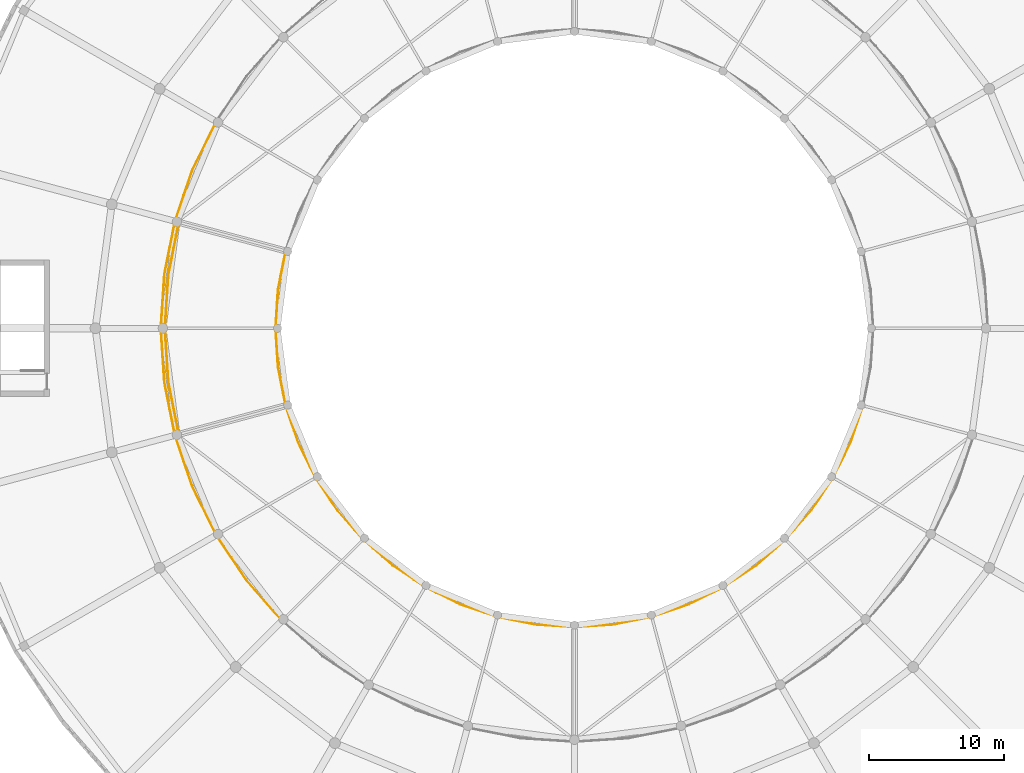
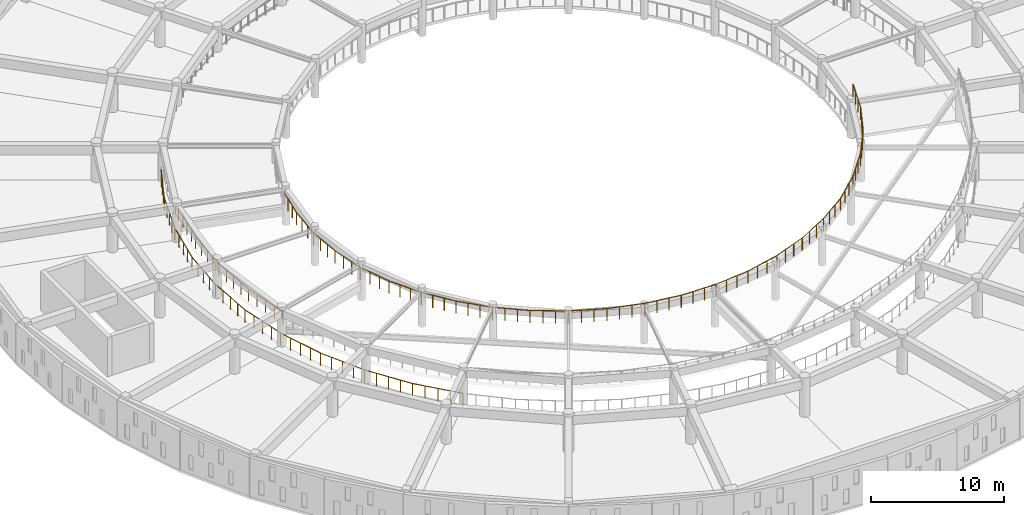
# One storey, part 129 of 155: 4 railings.
"""IFC4 building model written with IfcOpenShell, lengths in metres."""

from ifc_helpers import new_model, si_unit, direction, frame, origin, origin_2d, place, context, subcontext, project, spatial, circle, extrude, material, type_object, element, save


model = new_model("IFC4")

# Units and contexts
model_context = context("Model", 3, precision=1e-05, world=origin(), true_north=direction((0.0, 1.0)))
body_context = subcontext(model_context, "Body", "Model", "MODEL_VIEW")
ifc_project = project(units=[si_unit("LENGTHUNIT", "METRE"), si_unit("AREAUNIT", "SQUARE_METRE"), si_unit("VOLUMEUNIT", "CUBIC_METRE"), si_unit("PLANEANGLEUNIT", "RADIAN"), si_unit("MASSUNIT", "GRAM", prefix="KILO")], contexts=[model_context])

# Site, building, storey
site_placement = place(None, origin())
site = spatial("IfcSite", under=ifc_project, at=site_placement, CompositionType="ELEMENT")
building_placement = place(site_placement, origin())
building = spatial("IfcBuilding", under=site, at=building_placement, Name="Larkveld Mobility Hub", CompositionType="ELEMENT")
storey_placement = place(building_placement, frame((0.0, 0.0, 8.39990234375)))
storey = spatial("IfcBuildingStorey", under=building, at=storey_placement, Name="L02", CompositionType="ELEMENT", Elevation=8.39990234375)

# Railings
ifc_material_1 = material(Name="Anodized aluminium 6063-T6 balustrade", Category="aluminium")
railing_type_1 = type_object("IfcRailingType", Name="RL-GRD-1150", PredefinedType="GUARDRAIL", material=ifc_material_1)
railing_1_placement = place(storey_placement, frame((21.4560546875, 63.324951171875, 0.0)))
element("IfcRailing", 1, at=railing_1_placement, inside=storey, type_object=railing_type_1, Name="Drum Ramp Well Guardrail L02-044", PredefinedType="GUARDRAIL", context=body_context, shape_type="SweptSolid", body=[
    extrude(circle(Radius=0.02392578125, at=origin_2d()), frame((0.0, 0.0, 1.1259765625), z_axis=(-0.442213306217, -0.89690991287, 0.0), x_axis=(0.89690991287, -0.442213306217, 0.0)), (0.0, 0.0, 1.0), 4.00927734375),
    extrude(circle(Radius=0.02392578125, at=origin_2d()), frame((-1.77294921875, -3.595947265625, 1.1259765625), z_axis=(-0.321557700371, -0.946889985865, 0.0), x_axis=(0.946889985865, -0.321557700371, 0.0)), (0.0, 0.0, 1.0), 4.0087890625),
    extrude(circle(Radius=0.02392578125, at=origin_2d()), frame((-3.06201171875, -7.391845703125, 1.1259765625), z_axis=(-0.195050336869, -0.980793233096, 0.0), x_axis=(0.980793233096, -0.195050336869, 0.0)), (0.0, 0.0, 1.0), 4.009033203125),
    extrude(circle(Radius=0.02392578125, at=origin_2d()), frame((-3.843994140625, -11.323974609375, 1.1259765625), z_axis=(-0.065334844062, -0.997863396539, 0.0), x_axis=(0.997863396539, -0.065334844062, 0.0)), (0.0, 0.0, 1.0), 4.009521484375),
    extrude(circle(Radius=0.02392578125, at=origin_2d()), frame((-4.10595703125, -15.324951171875, 1.1259765625), z_axis=(0.065334844062, -0.997863396539, 0.0), x_axis=(0.997863396539, 0.065334844062, 0.0)), (0.0, 0.0, 1.0), 4.009521484375),
    extrude(circle(Radius=0.02392578125, at=origin_2d()), frame((-3.843994140625, -19.325927734375, 1.1259765625), z_axis=(0.195050336869, -0.980793233096, 0.0), x_axis=(0.980793233096, 0.195050336869, 0.0)), (0.0, 0.0, 1.0), 4.009033203125),
    extrude(circle(Radius=0.02392578125, at=origin_2d()), frame((-3.06201171875, -23.258056640625, 1.1259765625), z_axis=(0.321557700371, -0.946889985865, 0.0), x_axis=(0.946889985865, 0.321557700371, 0.0)), (0.0, 0.0, 1.0), 4.0087890625),
    extrude(circle(Radius=0.02392578125, at=origin_2d()), frame((-1.77294921875, -27.053955078125, 1.1259765625), z_axis=(0.442213306217, -0.89690991287, 0.0), x_axis=(0.89690991287, 0.442213306217, 0.0)), (0.0, 0.0, 1.0), 4.00927734375),
    extrude(circle(Radius=0.02392578125, at=origin_2d()), frame((0.0, -30.64990234375, 1.1259765625), z_axis=(0.555627161516, -0.831431571078, 0.0), x_axis=(0.831431571078, 0.555627161516, 0.0)), (0.0, 0.0, 1.0), 4.010009765625),
    extrude(circle(Radius=0.02392578125, at=origin_2d()), frame((2.22802734375, -33.98388671875, 1.1259765625), z_axis=(0.65927174728, -0.75190475676, 0.0), x_axis=(0.75190475676, 0.65927174728, 0.0)), (0.0, 0.0, 1.0), 4.0087890625),
    extrude(circle(Radius=0.02099609375, at=origin_2d()), origin(), (0.0, 0.0, 1.0), 1.101806640625),
    extrude(circle(Radius=0.02099609375, at=origin_2d()), frame((-0.443359375, -0.89892578125, 0.0)), (0.0, 0.0, 1.0), 1.101806640625),
    extrude(circle(Radius=0.02099609375, at=origin_2d()), frame((-0.886474609375, -1.7978515625, 0.0)), (0.0, 0.0, 1.0), 1.101806640625),
    extrude(circle(Radius=0.02099609375, at=origin_2d()), frame((-1.32958984375, -2.697021484375, 0.0)), (0.0, 0.0, 1.0), 1.101806640625),
    extrude(circle(Radius=0.02099609375, at=origin_2d()), frame((-1.77294921875, -3.595947265625, 0.0)), (0.0, 0.0, 1.0), 1.101806640625),
    extrude(circle(Radius=0.02099609375, at=origin_2d()), frame((-2.09521484375, -4.544921875, 0.0)), (0.0, 0.0, 1.0), 1.101806640625),
    extrude(circle(Radius=0.02099609375, at=origin_2d()), frame((-2.41748046875, -5.493896484375, 0.0)), (0.0, 0.0, 1.0), 1.101806640625),
    extrude(circle(Radius=0.02099609375, at=origin_2d()), frame((-2.73974609375, -6.44287109375, 0.0)), (0.0, 0.0, 1.0), 1.101806640625),
    extrude(circle(Radius=0.02099609375, at=origin_2d()), frame((-3.06201171875, -7.391845703125, 0.0)), (0.0, 0.0, 1.0), 1.101806640625),
    extrude(circle(Radius=0.02099609375, at=origin_2d()), frame((-3.257568359375, -8.375, 0.0)), (0.0, 0.0, 1.0), 1.101806640625),
    extrude(circle(Radius=0.02099609375, at=origin_2d()), frame((-3.453125, -9.35791015625, 0.0)), (0.0, 0.0, 1.0), 1.101806640625),
    extrude(circle(Radius=0.02099609375, at=origin_2d()), frame((-3.6484375, -10.3408203125, 0.0)), (0.0, 0.0, 1.0), 1.101806640625),
    extrude(circle(Radius=0.02099609375, at=origin_2d()), frame((-3.843994140625, -11.323974609375, 0.0)), (0.0, 0.0, 1.0), 1.101806640625),
    extrude(circle(Radius=0.02099609375, at=origin_2d()), frame((-3.909423828125, -12.32421875, 0.0)), (0.0, 0.0, 1.0), 1.101806640625),
    extrude(circle(Radius=0.02099609375, at=origin_2d()), frame((-3.97509765625, -13.324462890625, 0.0)), (0.0, 0.0, 1.0), 1.101806640625),
    extrude(circle(Radius=0.02099609375, at=origin_2d()), frame((-4.04052734375, -14.32470703125, 0.0)), (0.0, 0.0, 1.0), 1.101806640625),
    extrude(circle(Radius=0.02099609375, at=origin_2d()), frame((-4.10595703125, -15.324951171875, 0.0)), (0.0, 0.0, 1.0), 1.101806640625),
    extrude(circle(Radius=0.02099609375, at=origin_2d()), frame((-4.04052734375, -16.3251953125, 0.0)), (0.0, 0.0, 1.0), 1.101806640625),
    extrude(circle(Radius=0.02099609375, at=origin_2d()), frame((-3.97509765625, -17.325439453125, 0.0)), (0.0, 0.0, 1.0), 1.101806640625),
    extrude(circle(Radius=0.02099609375, at=origin_2d()), frame((-3.909423828125, -18.32568359375, 0.0)), (0.0, 0.0, 1.0), 1.101806640625),
    extrude(circle(Radius=0.02099609375, at=origin_2d()), frame((-3.843994140625, -19.325927734375, 0.0)), (0.0, 0.0, 1.0), 1.101806640625),
    extrude(circle(Radius=0.02099609375, at=origin_2d()), frame((-3.6484375, -20.30908203125, 0.0)), (0.0, 0.0, 1.0), 1.101806640625),
    extrude(circle(Radius=0.02099609375, at=origin_2d()), frame((-3.453125, -21.2919921875, 0.0)), (0.0, 0.0, 1.0), 1.101806640625),
    extrude(circle(Radius=0.02099609375, at=origin_2d()), frame((-3.257568359375, -22.27490234375, 0.0)), (0.0, 0.0, 1.0), 1.101806640625),
    extrude(circle(Radius=0.02099609375, at=origin_2d()), frame((-3.06201171875, -23.258056640625, 0.0)), (0.0, 0.0, 1.0), 1.101806640625),
    extrude(circle(Radius=0.02099609375, at=origin_2d()), frame((-2.73974609375, -24.20703125, 0.0)), (0.0, 0.0, 1.0), 1.101806640625),
    extrude(circle(Radius=0.02099609375, at=origin_2d()), frame((-2.41748046875, -25.156005859375, 0.0)), (0.0, 0.0, 1.0), 1.101806640625),
    extrude(circle(Radius=0.02099609375, at=origin_2d()), frame((-2.09521484375, -26.10498046875, 0.0)), (0.0, 0.0, 1.0), 1.101806640625),
    extrude(circle(Radius=0.02099609375, at=origin_2d()), frame((-1.77294921875, -27.053955078125, 0.0)), (0.0, 0.0, 1.0), 1.101806640625),
    extrude(circle(Radius=0.02099609375, at=origin_2d()), frame((-1.32958984375, -27.952880859375, 0.0)), (0.0, 0.0, 1.0), 1.101806640625),
    extrude(circle(Radius=0.02099609375, at=origin_2d()), frame((-0.886474609375, -28.85205078125, 0.0)), (0.0, 0.0, 1.0), 1.101806640625),
    extrude(circle(Radius=0.02099609375, at=origin_2d()), frame((-0.443359375, -29.7509765625, 0.0)), (0.0, 0.0, 1.0), 1.101806640625),
    extrude(circle(Radius=0.02099609375, at=origin_2d()), frame((0.0, -30.64990234375, 0.0)), (0.0, 0.0, 1.0), 1.101806640625),
    extrude(circle(Radius=0.02099609375, at=origin_2d()), frame((0.55712890625, -31.4833984375, 0.0)), (0.0, 0.0, 1.0), 1.101806640625),
    extrude(circle(Radius=0.02099609375, at=origin_2d()), frame((1.114013671875, -32.31689453125, 0.0)), (0.0, 0.0, 1.0), 1.101806640625),
    extrude(circle(Radius=0.02099609375, at=origin_2d()), frame((1.6708984375, -33.150390625, 0.0)), (0.0, 0.0, 1.0), 1.101806640625),
    extrude(circle(Radius=0.02099609375, at=origin_2d()), frame((2.22802734375, -33.98388671875, 0.0)), (0.0, 0.0, 1.0), 1.101806640625),
    extrude(circle(Radius=0.02099609375, at=origin_2d()), frame((2.888671875, -34.7373046875, 0.0)), (0.0, 0.0, 1.0), 1.101806640625),
    extrude(circle(Radius=0.02099609375, at=origin_2d()), frame((3.54931640625, -35.490966796875, 0.0)), (0.0, 0.0, 1.0), 1.101806640625),
    extrude(circle(Radius=0.02099609375, at=origin_2d()), frame((4.210205078125, -36.24462890625, 0.0)), (0.0, 0.0, 1.0), 1.101806640625),
    extrude(circle(Radius=0.02099609375, at=origin_2d()), frame((4.870849609375, -36.998046875, 0.0)), (0.0, 0.0, 1.0), 1.101806640625),
])
ifc_material_2 = material(Name="Galvanized Steel S355JR vehicle-deck guard", Category="steel")
railing_type_2 = type_object("IfcRailingType", Name="RL-GRD-RMP", PredefinedType="GUARDRAIL", material=ifc_material_2)
railing_2_placement = place(storey_placement, frame((26.60498046875, 53.73291015625, 1.800048828125)))
element("IfcRailing", 2, at=railing_2_placement, inside=storey, type_object=railing_type_2, Name="Helical Mid-Landing Inner Guard L02-015", PredefinedType="GUARDRAIL", context=body_context, shape_type="SweptSolid", body=[
    extrude(circle(Radius=0.02392578125, at=origin_2d()), frame((0.0, 0.0, 1.1259765625), z_axis=(-0.195305912265, -0.980742372203, 0.0), x_axis=(0.980742372203, -0.195305912265, 0.0)), (0.0, 0.0, 1.0), 2.897705078125),
    extrude(circle(Radius=0.02392578125, at=origin_2d()), frame((-0.56591796875, -2.841796875, 1.1259765625), z_axis=(-0.065221416326, -0.997870816715, 0.0), x_axis=(0.997870816715, -0.065221416326, 0.0)), (0.0, 0.0, 1.0), 2.897216796875),
    extrude(circle(Radius=0.02392578125, at=origin_2d()), frame((-0.7548828125, -5.73291015625, 1.1259765625), z_axis=(0.065221416326, -0.997870816715, 0.0), x_axis=(0.997870816715, 0.065221416326, 0.0)), (0.0, 0.0, 1.0), 2.897216796875),
    extrude(circle(Radius=0.02392578125, at=origin_2d()), frame((-0.56591796875, -8.6240234375, 1.1259765625), z_axis=(0.195305912265, -0.980742372203, 0.0), x_axis=(0.980742372203, 0.195305912265, 0.0)), (0.0, 0.0, 1.0), 2.897705078125),
    extrude(circle(Radius=0.02099609375, at=origin_2d()), origin(), (0.0, 0.0, 1.0), 1.101806640625),
    extrude(circle(Radius=0.02099609375, at=origin_2d()), frame((-0.188720703125, -0.947265625, 0.0)), (0.0, 0.0, 1.0), 1.101806640625),
    extrude(circle(Radius=0.02099609375, at=origin_2d()), frame((-0.377197265625, -1.89453125, 0.0)), (0.0, 0.0, 1.0), 1.101806640625),
    extrude(circle(Radius=0.02099609375, at=origin_2d()), frame((-0.56591796875, -2.841796875, 0.0)), (0.0, 0.0, 1.0), 1.101806640625),
    extrude(circle(Radius=0.02099609375, at=origin_2d()), frame((-0.62890625, -3.805419921875, 0.0)), (0.0, 0.0, 1.0), 1.101806640625),
    extrude(circle(Radius=0.02099609375, at=origin_2d()), frame((-0.69189453125, -4.769287109375, 0.0)), (0.0, 0.0, 1.0), 1.101806640625),
    extrude(circle(Radius=0.02099609375, at=origin_2d()), frame((-0.7548828125, -5.73291015625, 0.0)), (0.0, 0.0, 1.0), 1.101806640625),
    extrude(circle(Radius=0.02099609375, at=origin_2d()), frame((-0.69189453125, -6.696533203125, 0.0)), (0.0, 0.0, 1.0), 1.101806640625),
    extrude(circle(Radius=0.02099609375, at=origin_2d()), frame((-0.62890625, -7.660400390625, 0.0)), (0.0, 0.0, 1.0), 1.101806640625),
    extrude(circle(Radius=0.02099609375, at=origin_2d()), frame((-0.56591796875, -8.6240234375, 0.0)), (0.0, 0.0, 1.0), 1.101806640625),
    extrude(circle(Radius=0.02099609375, at=origin_2d()), frame((-0.377197265625, -9.5712890625, 0.0)), (0.0, 0.0, 1.0), 1.101806640625),
    extrude(circle(Radius=0.02099609375, at=origin_2d()), frame((-0.188720703125, -10.5185546875, 0.0)), (0.0, 0.0, 1.0), 1.101806640625),
    extrude(circle(Radius=0.02099609375, at=origin_2d()), frame((0.0, -11.4658203125, 0.0)), (0.0, 0.0, 1.0), 1.101806640625),
])
railing_3_placement = place(storey_placement, frame((18.68408203125, 55.85498046875, 1.800048828125)))
element("IfcRailing", 3, at=railing_3_placement, inside=storey, type_object=railing_type_2, Name="Helical Mid-Landing Outer Guard L02-016", PredefinedType="GUARDRAIL", context=body_context, shape_type="SweptSolid", body=[
    extrude(circle(Radius=0.02392578125, at=origin_2d()), frame((0.0, 0.0, 1.1259765625), z_axis=(-0.194992586513, -0.980804716141, 0.0), x_axis=(0.980804716141, -0.194992586513, 0.0)), (0.0, 0.0, 1.0), 3.97021484375),
    extrude(circle(Radius=0.02392578125, at=origin_2d()), frame((-0.774169921875, -3.89404296875, 1.1259765625), z_axis=(-0.065502515435, -0.997852404152, 0.0), x_axis=(0.997852404152, -0.065502515435, 0.0)), (0.0, 0.0, 1.0), 3.969482421875),
    extrude(circle(Radius=0.02392578125, at=origin_2d()), frame((-1.0341796875, -7.85498046875, 1.1259765625), z_axis=(0.065502515435, -0.997852404152, 0.0), x_axis=(0.997852404152, 0.065502515435, 0.0)), (0.0, 0.0, 1.0), 3.969482421875),
    extrude(circle(Radius=0.02392578125, at=origin_2d()), frame((-0.774169921875, -11.81591796875, 1.1259765625), z_axis=(0.194992586513, -0.980804716141, 0.0), x_axis=(0.980804716141, 0.194992586513, 0.0)), (0.0, 0.0, 1.0), 3.97021484375),
    extrude(circle(Radius=0.02099609375, at=origin_2d()), origin(), (0.0, 0.0, 1.0), 1.101806640625),
    extrude(circle(Radius=0.02099609375, at=origin_2d()), frame((-0.193603515625, -0.9736328125, 0.0)), (0.0, 0.0, 1.0), 1.101806640625),
    extrude(circle(Radius=0.02099609375, at=origin_2d()), frame((-0.38720703125, -1.947021484375, 0.0)), (0.0, 0.0, 1.0), 1.101806640625),
    extrude(circle(Radius=0.02099609375, at=origin_2d()), frame((-0.58056640625, -2.92041015625, 0.0)), (0.0, 0.0, 1.0), 1.101806640625),
    extrude(circle(Radius=0.02099609375, at=origin_2d()), frame((-0.774169921875, -3.89404296875, 0.0)), (0.0, 0.0, 1.0), 1.101806640625),
    extrude(circle(Radius=0.02099609375, at=origin_2d()), frame((-0.839111328125, -4.88427734375, 0.0)), (0.0, 0.0, 1.0), 1.101806640625),
    extrude(circle(Radius=0.02099609375, at=origin_2d()), frame((-0.904296875, -5.87451171875, 0.0)), (0.0, 0.0, 1.0), 1.101806640625),
    extrude(circle(Radius=0.02099609375, at=origin_2d()), frame((-0.96923828125, -6.86474609375, 0.0)), (0.0, 0.0, 1.0), 1.101806640625),
    extrude(circle(Radius=0.02099609375, at=origin_2d()), frame((-1.0341796875, -7.85498046875, 0.0)), (0.0, 0.0, 1.0), 1.101806640625),
    extrude(circle(Radius=0.02099609375, at=origin_2d()), frame((-0.96923828125, -8.84521484375, 0.0)), (0.0, 0.0, 1.0), 1.101806640625),
    extrude(circle(Radius=0.02099609375, at=origin_2d()), frame((-0.904296875, -9.83544921875, 0.0)), (0.0, 0.0, 1.0), 1.101806640625),
    extrude(circle(Radius=0.02099609375, at=origin_2d()), frame((-0.839111328125, -10.82568359375, 0.0)), (0.0, 0.0, 1.0), 1.101806640625),
    extrude(circle(Radius=0.02099609375, at=origin_2d()), frame((-0.774169921875, -11.81591796875, 0.0)), (0.0, 0.0, 1.0), 1.101806640625),
    extrude(circle(Radius=0.02099609375, at=origin_2d()), frame((-0.58056640625, -12.78955078125, 0.0)), (0.0, 0.0, 1.0), 1.101806640625),
    extrude(circle(Radius=0.02099609375, at=origin_2d()), frame((-0.38720703125, -13.762939453125, 0.0)), (0.0, 0.0, 1.0), 1.101806640625),
    extrude(circle(Radius=0.02099609375, at=origin_2d()), frame((-0.193603515625, -14.736328125, 0.0)), (0.0, 0.0, 1.0), 1.101806640625),
    extrude(circle(Radius=0.02099609375, at=origin_2d()), frame((0.0, -15.7099609375, 0.0)), (0.0, 0.0, 1.0), 1.101806640625),
])
railing_4_placement = place(storey_placement, frame((26.60498046875, 42.26708984375, 1.800048828125)))
element("IfcRailing", 4, at=railing_4_placement, inside=storey, type_object=railing_type_2, Name="Helical Ramp Inner Sloped Guard T2 L02-019", PredefinedType="GUARDRAIL", context=body_context, shape_type="SweptSolid", body=[
    extrude(circle(Radius=0.02392578125, at=origin_2d()), frame((0.0, 0.0, 1.1259765625), z_axis=(0.321200441388, -0.946500959726, 0.031083913683), x_axis=(0.946958550549, 0.321355727416, 0.0)), (0.0, 0.0, 1.0), 2.898193359375),
    extrude(circle(Radius=0.02392578125, at=origin_2d()), frame((0.930908203125, -2.7431640625, 1.2158203125), z_axis=(0.442243377686, -0.896359625945, 0.03098735015), x_axis=(0.896790285483, 0.442455855271, 0.0)), (0.0, 0.0, 1.0), 2.8994140625),
    extrude(circle(Radius=0.02392578125, at=origin_2d()), frame((2.213134765625, -5.342041015625, 1.3056640625), z_axis=(0.555131782768, -0.831181380966, 0.031084010295), x_axis=(0.831583222437, 0.555400165791, 0.0)), (0.0, 0.0, 1.0), 2.898193359375),
    extrude(circle(Radius=0.02392578125, at=origin_2d()), frame((3.822021484375, -7.7509765625, 1.39599609375), z_axis=(0.659151901908, -0.751367480366, 0.031075386713), x_axis=(0.751730533478, 0.659470397392, 0.0)), (0.0, 0.0, 1.0), 2.89892578125),
    extrude(circle(Radius=0.02392578125, at=origin_2d()), frame((5.73291015625, -9.92919921875, 1.48583984375), z_axis=(0.751369444052, -0.65915362459, 0.030991252568), x_axis=(0.659470397392, 0.751730533478, 0.0)), (0.0, 0.0, 1.0), 2.89892578125),
    extrude(circle(Radius=0.02392578125, at=origin_2d()), frame((7.9111328125, -11.840087890625, 1.57568359375), z_axis=(0.831181380966, -0.555131782768, 0.031084010295), x_axis=(0.555400165791, 0.831583222437, 0.0)), (0.0, 0.0, 1.0), 2.898193359375),
    extrude(circle(Radius=0.02392578125, at=origin_2d()), frame((10.320068359375, -13.448974609375, 1.666015625), z_axis=(0.896357283921, -0.442242222184, 0.031071473722), x_axis=(0.442455855271, 0.896790285483, 0.0)), (0.0, 0.0, 1.0), 2.8994140625),
    extrude(circle(Radius=0.02392578125, at=origin_2d()), frame((12.9189453125, -14.731201171875, 1.755859375), z_axis=(0.946503434747, -0.3212012813, 0.030999756496), x_axis=(0.321355727416, 0.946958550549, 0.0)), (0.0, 0.0, 1.0), 2.898193359375),
    extrude(circle(Radius=0.02392578125, at=origin_2d()), frame((15.662109375, -15.662109375, 1.845703125), z_axis=(0.980268712014, -0.195211587152, 0.031075528757), x_axis=(0.195305912265, 0.980742372203, 0.0)), (0.0, 0.0, 1.0), 2.89892578125),
    extrude(circle(Radius=0.02392578125, at=origin_2d()), frame((18.50390625, -16.22802734375, 1.93603515625), z_axis=(0.997388779233, -0.065189910077, 0.031078910618), x_axis=(0.065221416326, 0.997870816715, 0.0)), (0.0, 0.0, 1.0), 2.898681640625),
    extrude(circle(Radius=0.02392578125, at=origin_2d()), frame((21.39501953125, -16.4169921875, 2.02587890625), z_axis=(0.997391386482, 0.065190080488, 0.03099476695), x_axis=(-0.065221416326, 0.997870816715, 0.0)), (0.0, 0.0, 1.0), 2.898681640625),
    extrude(circle(Radius=0.02392578125, at=origin_2d()), frame((24.2861328125, -16.22802734375, 2.11572265625), z_axis=(0.980268712014, 0.195211587152, 0.031075528757), x_axis=(-0.195305912265, 0.980742372203, 0.0)), (0.0, 0.0, 1.0), 2.89892578125),
    extrude(circle(Radius=0.02392578125, at=origin_2d()), frame((27.1279296875, -15.662109375, 2.2060546875), z_axis=(0.946500959726, 0.321200441388, 0.031083913683), x_axis=(-0.321355727416, 0.946958550549, 0.0)), (0.0, 0.0, 1.0), 2.898193359375),
    extrude(circle(Radius=0.02392578125, at=origin_2d()), frame((29.87109375, -14.731201171875, 2.2958984375), z_axis=(0.896359625945, 0.442243377686, 0.03098735015), x_axis=(-0.442455855271, 0.896790285483, 0.0)), (0.0, 0.0, 1.0), 2.8994140625),
    extrude(circle(Radius=0.02392578125, at=origin_2d()), frame((32.469970703125, -13.448974609375, 2.3857421875), z_axis=(0.831181380966, 0.555131782768, 0.031084010295), x_axis=(-0.555400165791, 0.831583222437, 0.0)), (0.0, 0.0, 1.0), 2.898193359375),
    extrude(circle(Radius=0.02392578125, at=origin_2d()), frame((34.87890625, -11.840087890625, 2.47607421875), z_axis=(0.751369444052, 0.65915362459, 0.030991252568), x_axis=(-0.659470397392, 0.751730533478, 0.0)), (0.0, 0.0, 1.0), 2.89892578125),
    extrude(circle(Radius=0.02392578125, at=origin_2d()), frame((37.05712890625, -9.92919921875, 2.56591796875), z_axis=(0.659151901908, 0.751367480366, 0.031075386713), x_axis=(-0.751730533478, 0.659470397392, 0.0)), (0.0, 0.0, 1.0), 2.89892578125),
    extrude(circle(Radius=0.02392578125, at=origin_2d()), frame((38.968017578125, -7.7509765625, 2.65576171875), z_axis=(0.555131782768, 0.831181380966, 0.031084010295), x_axis=(-0.831583222437, 0.555400165791, 0.0)), (0.0, 0.0, 1.0), 2.898193359375),
    extrude(circle(Radius=0.02392578125, at=origin_2d()), frame((40.576904296875, -5.342041015625, 2.74609375), z_axis=(0.442243377686, 0.896359625945, 0.03098735015), x_axis=(-0.896790285483, 0.442455855271, 0.0)), (0.0, 0.0, 1.0), 2.8994140625),
    extrude(circle(Radius=0.02392578125, at=origin_2d()), frame((41.859130859375, -2.7431640625, 2.8359375), z_axis=(0.321200441388, 0.946500959726, 0.031083913683), x_axis=(-0.946958550549, 0.321355727416, 0.0)), (0.0, 0.0, 1.0), 2.898193359375),
    extrude(circle(Radius=0.02099609375, at=origin_2d()), origin(), (0.0, 0.0, 1.0), 1.101806640625),
    extrude(circle(Radius=0.02099609375, at=origin_2d()), frame((0.310302734375, -0.914306640625, 0.030029296875)), (0.0, 0.0, 1.0), 1.101806640625),
    extrude(circle(Radius=0.02099609375, at=origin_2d()), frame((0.62060546875, -1.828857421875, 0.06005859375)), (0.0, 0.0, 1.0), 1.101806640625),
    extrude(circle(Radius=0.02099609375, at=origin_2d()), frame((0.930908203125, -2.7431640625, 0.090087890625)), (0.0, 0.0, 1.0), 1.101806640625),
    extrude(circle(Radius=0.02099609375, at=origin_2d()), frame((1.3583984375, -3.609375, 0.1201171875)), (0.0, 0.0, 1.0), 1.101806640625),
    extrude(circle(Radius=0.02099609375, at=origin_2d()), frame((1.78564453125, -4.475830078125, 0.14990234375)), (0.0, 0.0, 1.0), 1.101806640625),
    extrude(circle(Radius=0.02099609375, at=origin_2d()), frame((2.213134765625, -5.342041015625, 0.179931640625)), (0.0, 0.0, 1.0), 1.101806640625),
    extrude(circle(Radius=0.02099609375, at=origin_2d()), frame((2.74951171875, -6.14501953125, 0.2099609375)), (0.0, 0.0, 1.0), 1.101806640625),
    extrude(circle(Radius=0.02099609375, at=origin_2d()), frame((3.28564453125, -6.947998046875, 0.239990234375)), (0.0, 0.0, 1.0), 1.101806640625),
    extrude(circle(Radius=0.02099609375, at=origin_2d()), frame((3.822021484375, -7.7509765625, 0.27001953125)), (0.0, 0.0, 1.0), 1.101806640625),
    extrude(circle(Radius=0.02099609375, at=origin_2d()), frame((4.458984375, -8.47705078125, 0.300048828125)), (0.0, 0.0, 1.0), 1.101806640625),
    extrude(circle(Radius=0.02099609375, at=origin_2d()), frame((5.095947265625, -9.203125, 0.330078125)), (0.0, 0.0, 1.0), 1.101806640625),
    extrude(circle(Radius=0.02099609375, at=origin_2d()), frame((5.73291015625, -9.92919921875, 0.360107421875)), (0.0, 0.0, 1.0), 1.101806640625),
    extrude(circle(Radius=0.02099609375, at=origin_2d()), frame((6.458984375, -10.566162109375, 0.39013671875)), (0.0, 0.0, 1.0), 1.101806640625),
    extrude(circle(Radius=0.02099609375, at=origin_2d()), frame((7.18505859375, -11.203125, 0.419921875)), (0.0, 0.0, 1.0), 1.101806640625),
    extrude(circle(Radius=0.02099609375, at=origin_2d()), frame((7.9111328125, -11.840087890625, 0.449951171875)), (0.0, 0.0, 1.0), 1.101806640625),
    extrude(circle(Radius=0.02099609375, at=origin_2d()), frame((8.714111328125, -12.37646484375, 0.47998046875)), (0.0, 0.0, 1.0), 1.101806640625),
    extrude(circle(Radius=0.02099609375, at=origin_2d()), frame((9.51708984375, -12.91259765625, 0.510009765625)), (0.0, 0.0, 1.0), 1.101806640625),
    extrude(circle(Radius=0.02099609375, at=origin_2d()), frame((10.320068359375, -13.448974609375, 0.5400390625)), (0.0, 0.0, 1.0), 1.101806640625),
    extrude(circle(Radius=0.02099609375, at=origin_2d()), frame((11.186279296875, -13.87646484375, 0.570068359375)), (0.0, 0.0, 1.0), 1.101806640625),
    extrude(circle(Radius=0.02099609375, at=origin_2d()), frame((12.052734375, -14.3037109375, 0.60009765625)), (0.0, 0.0, 1.0), 1.101806640625),
    extrude(circle(Radius=0.02099609375, at=origin_2d()), frame((12.9189453125, -14.731201171875, 0.630126953125)), (0.0, 0.0, 1.0), 1.101806640625),
    extrude(circle(Radius=0.02099609375, at=origin_2d()), frame((13.833251953125, -15.04150390625, 0.66015625)), (0.0, 0.0, 1.0), 1.101806640625),
    extrude(circle(Radius=0.02099609375, at=origin_2d()), frame((14.747802734375, -15.351806640625, 0.68994140625)), (0.0, 0.0, 1.0), 1.101806640625),
    extrude(circle(Radius=0.02099609375, at=origin_2d()), frame((15.662109375, -15.662109375, 0.719970703125)), (0.0, 0.0, 1.0), 1.101806640625),
    extrude(circle(Radius=0.02099609375, at=origin_2d()), frame((16.609375, -15.850830078125, 0.75)), (0.0, 0.0, 1.0), 1.101806640625),
    extrude(circle(Radius=0.02099609375, at=origin_2d()), frame((17.556640625, -16.039306640625, 0.780029296875)), (0.0, 0.0, 1.0), 1.101806640625),
    extrude(circle(Radius=0.02099609375, at=origin_2d()), frame((18.50390625, -16.22802734375, 0.81005859375)), (0.0, 0.0, 1.0), 1.101806640625),
    extrude(circle(Radius=0.02099609375, at=origin_2d()), frame((19.467529296875, -16.291015625, 0.840087890625)), (0.0, 0.0, 1.0), 1.101806640625),
    extrude(circle(Radius=0.02099609375, at=origin_2d()), frame((20.431396484375, -16.35400390625, 0.8701171875)), (0.0, 0.0, 1.0), 1.101806640625),
    extrude(circle(Radius=0.02099609375, at=origin_2d()), frame((21.39501953125, -16.4169921875, 0.900146484375)), (0.0, 0.0, 1.0), 1.101806640625),
    extrude(circle(Radius=0.02099609375, at=origin_2d()), frame((22.358642578125, -16.35400390625, 0.93017578125)), (0.0, 0.0, 1.0), 1.101806640625),
    extrude(circle(Radius=0.02099609375, at=origin_2d()), frame((23.322509765625, -16.291015625, 0.9599609375)), (0.0, 0.0, 1.0), 1.101806640625),
    extrude(circle(Radius=0.02099609375, at=origin_2d()), frame((24.2861328125, -16.22802734375, 0.989990234375)), (0.0, 0.0, 1.0), 1.101806640625),
    extrude(circle(Radius=0.02099609375, at=origin_2d()), frame((25.2333984375, -16.039306640625, 1.02001953125)), (0.0, 0.0, 1.0), 1.101806640625),
    extrude(circle(Radius=0.02099609375, at=origin_2d()), frame((26.1806640625, -15.850830078125, 1.050048828125)), (0.0, 0.0, 1.0), 1.101806640625),
    extrude(circle(Radius=0.02099609375, at=origin_2d()), frame((27.1279296875, -15.662109375, 1.080078125)), (0.0, 0.0, 1.0), 1.101806640625),
    extrude(circle(Radius=0.02099609375, at=origin_2d()), frame((28.042236328125, -15.351806640625, 1.110107421875)), (0.0, 0.0, 1.0), 1.101806640625),
    extrude(circle(Radius=0.02099609375, at=origin_2d()), frame((28.956787109375, -15.04150390625, 1.14013671875)), (0.0, 0.0, 1.0), 1.101806640625),
    extrude(circle(Radius=0.02099609375, at=origin_2d()), frame((29.87109375, -14.731201171875, 1.170166015625)), (0.0, 0.0, 1.0), 1.101806640625),
    extrude(circle(Radius=0.02099609375, at=origin_2d()), frame((30.7373046875, -14.3037109375, 1.2001953125)), (0.0, 0.0, 1.0), 1.101806640625),
    extrude(circle(Radius=0.02099609375, at=origin_2d()), frame((31.603759765625, -13.87646484375, 1.22998046875)), (0.0, 0.0, 1.0), 1.101806640625),
    extrude(circle(Radius=0.02099609375, at=origin_2d()), frame((32.469970703125, -13.448974609375, 1.260009765625)), (0.0, 0.0, 1.0), 1.101806640625),
    extrude(circle(Radius=0.02099609375, at=origin_2d()), frame((33.27294921875, -12.91259765625, 1.2900390625)), (0.0, 0.0, 1.0), 1.101806640625),
    extrude(circle(Radius=0.02099609375, at=origin_2d()), frame((34.075927734375, -12.37646484375, 1.320068359375)), (0.0, 0.0, 1.0), 1.101806640625),
    extrude(circle(Radius=0.02099609375, at=origin_2d()), frame((34.87890625, -11.840087890625, 1.35009765625)), (0.0, 0.0, 1.0), 1.101806640625),
    extrude(circle(Radius=0.02099609375, at=origin_2d()), frame((35.60498046875, -11.203125, 1.380126953125)), (0.0, 0.0, 1.0), 1.101806640625),
    extrude(circle(Radius=0.02099609375, at=origin_2d()), frame((36.3310546875, -10.566162109375, 1.409912109375)), (0.0, 0.0, 1.0), 1.101806640625),
    extrude(circle(Radius=0.02099609375, at=origin_2d()), frame((37.05712890625, -9.92919921875, 1.43994140625)), (0.0, 0.0, 1.0), 1.101806640625),
    extrude(circle(Radius=0.02099609375, at=origin_2d()), frame((37.694091796875, -9.203125, 1.469970703125)), (0.0, 0.0, 1.0), 1.101806640625),
    extrude(circle(Radius=0.02099609375, at=origin_2d()), frame((38.3310546875, -8.47705078125, 1.5)), (0.0, 0.0, 1.0), 1.101806640625),
    extrude(circle(Radius=0.02099609375, at=origin_2d()), frame((38.968017578125, -7.7509765625, 1.530029296875)), (0.0, 0.0, 1.0), 1.101806640625),
    extrude(circle(Radius=0.02099609375, at=origin_2d()), frame((39.50439453125, -6.947998046875, 1.56005859375)), (0.0, 0.0, 1.0), 1.101806640625),
    extrude(circle(Radius=0.02099609375, at=origin_2d()), frame((40.04052734375, -6.14501953125, 1.590087890625)), (0.0, 0.0, 1.0), 1.101806640625),
    extrude(circle(Radius=0.02099609375, at=origin_2d()), frame((40.576904296875, -5.342041015625, 1.6201171875)), (0.0, 0.0, 1.0), 1.101806640625),
    extrude(circle(Radius=0.02099609375, at=origin_2d()), frame((41.00439453125, -4.475830078125, 1.650146484375)), (0.0, 0.0, 1.0), 1.101806640625),
    extrude(circle(Radius=0.02099609375, at=origin_2d()), frame((41.431640625, -3.609375, 1.679931640625)), (0.0, 0.0, 1.0), 1.101806640625),
    extrude(circle(Radius=0.02099609375, at=origin_2d()), frame((41.859130859375, -2.7431640625, 1.7099609375)), (0.0, 0.0, 1.0), 1.101806640625),
    extrude(circle(Radius=0.02099609375, at=origin_2d()), frame((42.16943359375, -1.828857421875, 1.739990234375)), (0.0, 0.0, 1.0), 1.101806640625),
    extrude(circle(Radius=0.02099609375, at=origin_2d()), frame((42.479736328125, -0.914306640625, 1.77001953125)), (0.0, 0.0, 1.0), 1.101806640625),
    extrude(circle(Radius=0.02099609375, at=origin_2d()), frame((42.7900390625, 0.0, 1.800048828125)), (0.0, 0.0, 1.0), 1.101806640625),
])

save(model, "model.ifc")
